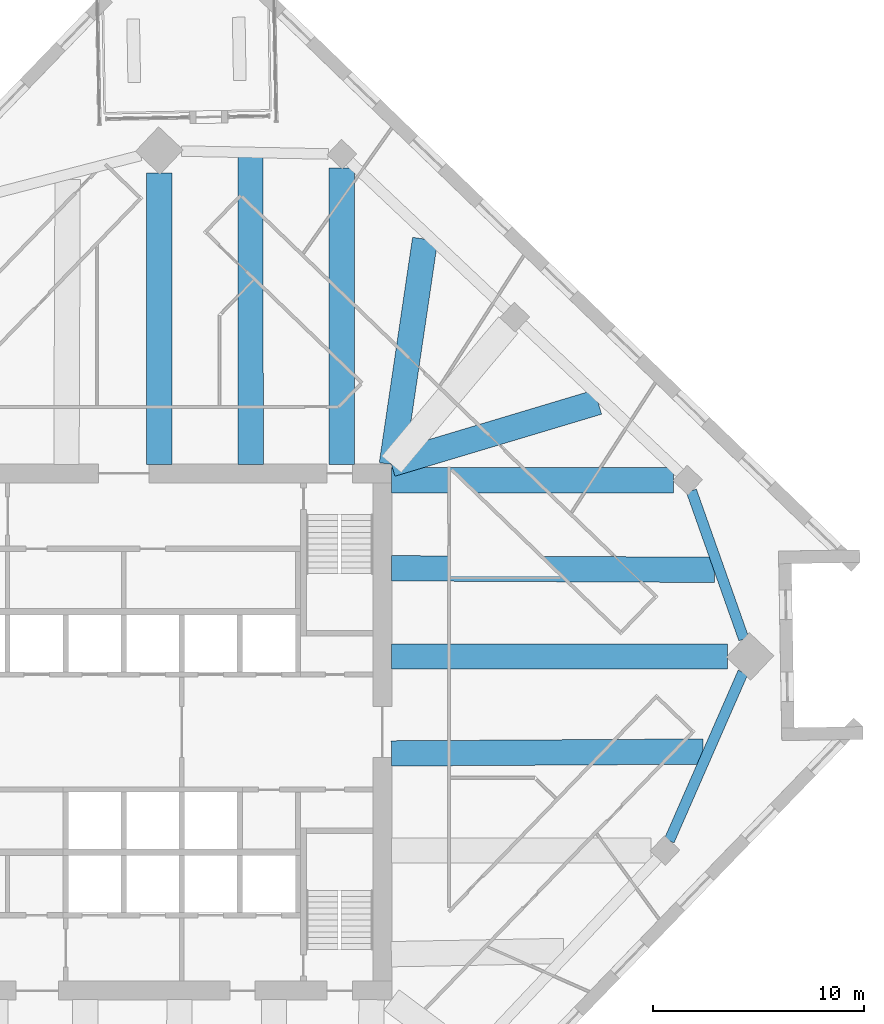
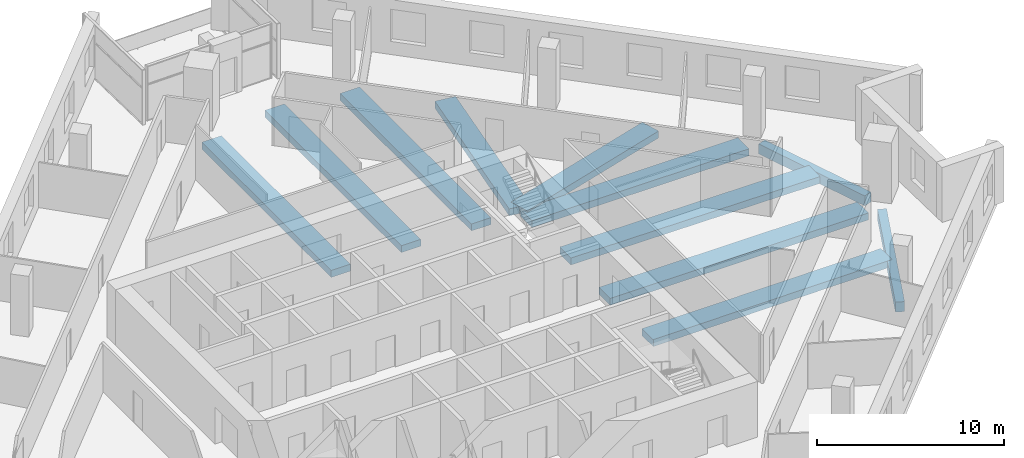
# One storey, part 3 of 13: 11 beams.
"""IFC4 building model written with IfcOpenShell, lengths in metres."""

import ifcopenshell
import ifcopenshell.guid

model = None  # the IFC model being written
_history = None  # IfcOwnerHistory: only IFC2X3 demands one
_inside = {}  # id of a spatial element -> (the spatial element, [elements in it])
_under = {}  # id of a project, library or spatial element -> (it, [spatial elements below it])
_declared = {}  # id of a project -> (the project, [libraries it declares])
_typed = {}  # id of a type object -> (the type object, [elements of that type])
_made_of = {}  # id of a material, layer set ... -> (it, [elements and type objects made of it])


def new_model(schema):
    """Start an empty IFC model of exactly this schema.

    Asked for "IFC4X3", IfcOpenShell would pick the latest addendum, in which some entities
    have other attributes; the version numbers below select the first issue.
    IFC2X3 requires an IfcOwnerHistory on every rooted entity: one is made here for all.
    """
    global model, _history
    if schema == "IFC4X3":
        model = ifcopenshell.file(schema_version=(4, 3, 0, 0))
    else:
        model = ifcopenshell.file(schema=schema)
    _inside.clear()
    _under.clear()
    _declared.clear()
    _typed.clear()
    _made_of.clear()
    _history = None
    if model.schema == "IFC2X3":
        org = make("IfcOrganization", Name="unknown")
        user = make(
            "IfcPersonAndOrganization",
            ThePerson=make("IfcPerson", FamilyName="unknown"),
            TheOrganization=org,
        )
        app = make(
            "IfcApplication",
            ApplicationDeveloper=org,
            Version="unknown",
            ApplicationFullName="unknown",
            ApplicationIdentifier="unknown",
        )
        _history = make(
            "IfcOwnerHistory",
            OwningUser=user,
            OwningApplication=app,
            ChangeAction="ADDED",
            CreationDate=0,
        )
    return model


def make(cls, **values):
    """One entity of the class cls with the attributes given. An attribute that is None is left unset."""
    return model.create_entity(
        cls, **{name: value for name, value in values.items() if value is not None}
    )


def rooted(cls, **values):
    """An entity with a GlobalId (a new one), such as an element, a storey or a relation."""
    return make(cls, GlobalId=ifcopenshell.guid.new(), OwnerHistory=_history, **values)


def si_unit(unit_type, name, prefix=None):
    """IfcSIUnit, for example si_unit("LENGTHUNIT", "METRE", prefix="MILLI")."""
    return make("IfcSIUnit", UnitType=unit_type, Prefix=prefix, Name=name)


def assignment(units):
    """IfcUnitAssignment: the units of a project."""
    return None if units is None else make("IfcUnitAssignment", Units=units)


def point(xyz):
    """IfcCartesianPoint."""
    return None if xyz is None else make("IfcCartesianPoint", Coordinates=xyz)


def direction(xyz):
    """IfcDirection."""
    return None if xyz is None else make("IfcDirection", DirectionRatios=xyz)


def frame(location, z_axis=None, x_axis=None):
    """IfcAxis2Placement3D, a coordinate frame: its origin and axes. An axis left out is left unset."""
    return make(
        "IfcAxis2Placement3D",
        Location=point(location),
        Axis=direction(z_axis),
        RefDirection=direction(x_axis),
    )


def frame_2d(location, x_axis=None):
    """IfcAxis2Placement2D, a coordinate frame in the plane: its origin and x axis."""
    return make(
        "IfcAxis2Placement2D", Location=point(location), RefDirection=direction(x_axis)
    )


def origin():
    """The frame at (0, 0, 0) with its axes left unset."""
    return frame((0.0, 0.0, 0.0))


def origin_2d():
    """The frame at (0, 0) in the plane with its x axis left unset."""
    return frame_2d((0.0, 0.0))


def place(relative_to, where):
    """IfcLocalPlacement: puts the frame where relative to a parent placement (None: the world)."""
    return make(
        "IfcLocalPlacement", PlacementRelTo=relative_to, RelativePlacement=where
    )


def context(
    kind, dimensions, precision=None, world=None, true_north=None, identifier=None
):
    """IfcGeometricRepresentationContext, for example the 3D "Model" context."""
    return make(
        "IfcGeometricRepresentationContext",
        ContextIdentifier=identifier,
        ContextType=kind,
        CoordinateSpaceDimension=dimensions,
        Precision=precision,
        WorldCoordinateSystem=world,
        TrueNorth=true_north,
    )


def subcontext(parent, identifier, kind, view, scale=None):
    """IfcGeometricRepresentationSubContext, for example "Body" below "Model"."""
    return make(
        "IfcGeometricRepresentationSubContext",
        ContextIdentifier=identifier,
        ContextType=kind,
        ParentContext=parent,
        TargetScale=scale,
        TargetView=view,
    )


def project(units=None, contexts=None):
    """IfcProject with its units and contexts."""
    return rooted(
        "IfcProject",
        Name="project",
        RepresentationContexts=contexts,
        UnitsInContext=assignment(units),
    )


def spatial(cls, under=None, at=None, **own):
    """A site, building, storey or space (cls), placed at a placement, below another one or the project."""
    s = rooted(cls, ObjectPlacement=at, **own)
    if under is not None:
        _under.setdefault(under.id(), (under, []))[1].append(s)
    return s


def profile(cls, at=None, kind="AREA", **sizes):
    """A parametric profile (cls). Its sizes go by their IFC names, for example OverallWidth=200.0."""
    return make(cls, ProfileType=kind, Position=at, **sizes)


def rectangle(**sizes):
    """IfcRectangleProfileDef."""
    return profile("IfcRectangleProfileDef", **sizes)


def extrude(swept, where, along, depth):
    """IfcExtrudedAreaSolid: the profile swept, set in the frame where, extruded along a direction by depth."""
    return make(
        "IfcExtrudedAreaSolid",
        SweptArea=swept,
        Position=where,
        ExtrudedDirection=direction(along),
        Depth=depth,
    )


def shape(context_of_items, identifier, shape_type, items):
    """IfcShapeRepresentation: the items that make up one representation, for example the "Body"."""
    return make(
        "IfcShapeRepresentation",
        ContextOfItems=context_of_items,
        RepresentationIdentifier=identifier,
        RepresentationType=shape_type,
        Items=items,
    )


def material(Name=None, Category=None):
    """IfcMaterial."""
    return make("IfcMaterial", Name=Name, Category=Category)


def material_profile(
    of_material, cross_section, Name=None, Category=None, Priority=None
):
    """IfcMaterialProfile: a cross section and its material."""
    return make(
        "IfcMaterialProfile",
        Name=Name,
        Material=of_material,
        Profile=cross_section,
        Priority=Priority,
        Category=Category,
    )


def profile_set(profiles, Name=None, composite=None):
    """IfcMaterialProfileSet."""
    return make(
        "IfcMaterialProfileSet",
        Name=Name,
        MaterialProfiles=profiles,
        CompositeProfile=composite,
    )


def made_of(thing, what):
    """Note that an element or type object is made of a material, layer set ...; save() writes the relation."""
    if what is not None:
        _made_of.setdefault(what.id(), (what, []))[1].append(thing)
    return thing


def type_object(cls, material=None, **own):
    """A type object (cls), such as IfcWallType, which elements share."""
    return made_of(rooted(cls, **own), material)


def element(
    cls,
    number,
    at=None,
    inside=None,
    cuts=None,
    type_object=None,
    material=None,
    context=None,
    identifier="Body",
    shape_type=None,
    held_by="IfcProductDefinitionShape",
    body=None,
    shapes=None,
    **own,
):
    """One element of the class cls, such as IfcWall. Its Tag is "e" and its number.

    at: its placement. inside: the storey or other place that contains it. cuts: it is an
    opening in that element (IfcRelVoidsElement). A single representation is given by context,
    identifier, shape_type and body (its items); several are given by shapes. held_by: the class
    of the entity that holds the representations. save() writes the other relations.
    """
    e = rooted(cls, Tag="e%d" % number, ObjectPlacement=at, **own)
    if body is not None:
        shapes = [shape(context, identifier, shape_type, body)]
    if shapes is not None:
        e.Representation = make(held_by, Representations=shapes)
    if inside is not None:
        _inside.setdefault(inside.id(), (inside, []))[1].append(e)
    if cuts is not None:
        rooted(
            "IfcRelVoidsElement", RelatingBuildingElement=cuts, RelatedOpeningElement=e
        )
    if type_object is not None:
        _typed.setdefault(type_object.id(), (type_object, []))[1].append(e)
    return made_of(e, material)


def aggregate(whole, parts):
    """IfcRelAggregates: a whole, such as a stair, and the parts it consists of."""
    return rooted("IfcRelAggregates", RelatingObject=whole, RelatedObjects=parts)


def save(model, path):
    """Write the relations noted so far, then the file.

    IfcRelAggregates (storeys below a building ...), IfcRelContainedInSpatialStructure (elements
    in a storey), IfcRelDefinesByType, IfcRelAssociatesMaterial and IfcRelDeclares: one each for
    every whole, place, type object, material and project.
    """
    for whole, parts in _under.values():
        aggregate(whole, parts)
    for where, things in _inside.values():
        rooted(
            "IfcRelContainedInSpatialStructure",
            RelatedElements=things,
            RelatingStructure=where,
        )
    for kind, things in _typed.values():
        rooted("IfcRelDefinesByType", RelatedObjects=things, RelatingType=kind)
    for what, things in _made_of.values():
        rooted("IfcRelAssociatesMaterial", RelatedObjects=things, RelatingMaterial=what)
    for by, libraries in _declared.values():
        rooted("IfcRelDeclares", RelatingContext=by, RelatedDefinitions=libraries)
    model.write(path)


model = new_model("IFC4")

# Units and contexts
model_context = context("Model", 3, precision=1e-05, world=origin(), true_north=direction((0.0, 1.0)))
body_context = subcontext(model_context, "Body", "Model", "MODEL_VIEW")
ifc_project = project(units=[si_unit("LENGTHUNIT", "METRE"), si_unit("AREAUNIT", "SQUARE_METRE"), si_unit("VOLUMEUNIT", "CUBIC_METRE"), si_unit("PLANEANGLEUNIT", "RADIAN"), si_unit("MASSUNIT", "GRAM", prefix="KILO")], contexts=[model_context])

# Site, building, storey
site_placement = place(None, origin())
site = spatial("IfcSite", under=ifc_project, at=site_placement, CompositionType="ELEMENT")
building_placement = place(site_placement, origin())
building = spatial("IfcBuilding", under=site, at=building_placement, Name="Dilmun Exchange Tower", CompositionType="ELEMENT")
storey_placement = place(building_placement, frame((0.0, 0.0, 209.300048828125)))
storey = spatial("IfcBuildingStorey", under=building, at=storey_placement, Name="L49", CompositionType="ELEMENT", Elevation=209.300048828125)

# Beams
ifc_material = material(Name="Concrete C40/50", Category="concrete")
ifc_material_profile_1 = material_profile(ifc_material, rectangle(XDim=1.199951171875, YDim=0.449951171875, at=origin_2d()), Name="1200 x 450")
ifc_profile_set_1 = profile_set([ifc_material_profile_1], Name="Concrete C40/50")
beam_type_1 = type_object("IfcBeamType", Name="RC band beam 1200 x 450 C40/50", PredefinedType="BEAM", material=ifc_profile_set_1)
beam_1_placement = place(storey_placement, frame((1.68505859375, 26.465576171875, -0.705078125), z_axis=(0.0, -1.0, 0.0), x_axis=(1.0, 0.0, 0.0)))
element("IfcBeam", 1, at=beam_1_placement, inside=storey, type_object=beam_type_1, Name="Band beam 1", PredefinedType="BEAM", context=body_context, shape_type="SweptSolid", body=[
    extrude(rectangle(XDim=1.199951171875, YDim=0.449951171875, at=origin_2d()), origin(), (0.0, 0.0, 1.0), 13.79248046875),
])
beam_2_placement = place(storey_placement, frame((28.586669921875, 3.58203125, -0.705078125), z_axis=(-1.0, 0.0, 0.0), x_axis=(0.0, -1.0, 0.0)))
element("IfcBeam", 2, at=beam_2_placement, inside=storey, type_object=beam_type_1, Name="Band beam 13", PredefinedType="BEAM", context=body_context, shape_type="SweptSolid", body=[
    extrude(rectangle(XDim=1.199951171875, YDim=0.449951171875, at=origin_2d()), origin(), (0.0, 0.0, 1.0), 15.91357421875),
])
beam_3_placement = place(storey_placement, frame((26.0458984375, 11.930908203125, -0.705078125), z_axis=(-1.0, 0.0, 0.0), x_axis=(0.0, -1.0, 0.0)))
element("IfcBeam", 3, at=beam_3_placement, inside=storey, type_object=beam_type_1, Name="Band beam 14", PredefinedType="BEAM", context=body_context, shape_type="SweptSolid", body=[
    extrude(rectangle(XDim=1.199951171875, YDim=0.449951171875, at=origin_2d()), origin(), (0.0, 0.0, 1.0), 13.372802734375),
])
beam_4_placement = place(storey_placement, frame((10.3330078125, 26.703857421875, -0.705078125), z_axis=(0.0, -1.0, 0.0), x_axis=(1.0, 0.0, 0.0)))
element("IfcBeam", 4, at=beam_4_placement, inside=storey, type_object=beam_type_1, Name="Band beam 16", PredefinedType="BEAM", context=body_context, shape_type="SweptSolid", body=[
    extrude(rectangle(XDim=1.199951171875, YDim=0.449951171875, at=origin_2d()), origin(), (0.0, 0.0, 1.0), 14.03076171875),
])
beam_5_placement = place(storey_placement, frame((27.441650390625, -0.924072265625, -0.60498046875), z_axis=(-0.999981696912, -0.006050276087, 0.0), x_axis=(0.006050276087, -0.999981696912, 0.0)))
element("IfcBeam", 5, at=beam_5_placement, inside=storey, type_object=beam_type_1, Name="Band beam 28", PredefinedType="BEAM", context=body_context, shape_type="SweptSolid", body=[
    extrude(rectangle(XDim=1.199951171875, YDim=0.449951171875, at=origin_2d()), origin(), (0.0, 0.0, 1.0), 14.768798828125),
])
beam_6_placement = place(storey_placement, frame((27.972412109375, 7.68212890625, -0.60498046875), z_axis=(-0.99998815601, 0.004867015408, 0.0), x_axis=(-0.004867015408, -0.99998815601, 0.0)))
element("IfcBeam", 6, at=beam_6_placement, inside=storey, type_object=beam_type_1, Name="Band beam 29", PredefinedType="BEAM", context=body_context, shape_type="SweptSolid", body=[
    extrude(rectangle(XDim=1.199951171875, YDim=0.449951171875, at=origin_2d()), origin(), (0.0, 0.0, 1.0), 15.299560546875),
])
beam_7_placement = place(storey_placement, frame((22.4599609375, 15.626708984375, -0.60498046875), z_axis=(-0.957849959988, -0.287268957862, 0.0), x_axis=(0.287268957862, -0.957849959988, 0.0)))
element("IfcBeam", 7, at=beam_7_placement, inside=storey, type_object=beam_type_1, Name="Band beam 30", PredefinedType="BEAM", context=body_context, shape_type="SweptSolid", body=[
    extrude(rectangle(XDim=1.199951171875, YDim=0.449951171875, at=origin_2d()), origin(), (0.0, 0.0, 1.0), 10.21630859375),
])
beam_8_placement = place(storey_placement, frame((14.2734375, 23.34326171875, -0.60498046875), z_axis=(-0.146268101323, -0.989244986106, 0.0), x_axis=(0.989244986106, -0.146268101323, 0.0)))
element("IfcBeam", 8, at=beam_8_placement, inside=storey, type_object=beam_type_1, Name="Band beam 31", PredefinedType="BEAM", context=body_context, shape_type="SweptSolid", body=[
    extrude(rectangle(XDim=1.199951171875, YDim=0.449951171875, at=origin_2d()), origin(), (0.0, 0.0, 1.0), 10.785888671875),
])
beam_9_placement = place(storey_placement, frame((6.00439453125, 27.22802734375, -0.60498046875), z_axis=(0.000318701025, -0.999999949215, 0.0), x_axis=(0.999999949215, 0.000318701025, 0.0)))
element("IfcBeam", 9, at=beam_9_placement, inside=storey, type_object=beam_type_1, Name="Band beam 32", PredefinedType="BEAM", context=body_context, shape_type="SweptSolid", body=[
    extrude(rectangle(XDim=1.199951171875, YDim=0.449951171875, at=origin_2d()), origin(), (0.0, 0.0, 1.0), 14.554931640625),
])
ifc_material_profile_2 = material_profile(ifc_material, rectangle(XDim=0.5, YDim=0.64990234375, at=origin_2d()), Name="500 x 650")
ifc_profile_set_2 = profile_set([ifc_material_profile_2], Name="Concrete C40/50")
beam_type_2 = type_object("IfcBeamType", Name="RC ring beam 500 x 650 C40/50", PredefinedType="SPANDREL", material=ifc_profile_set_2)
beam_10_placement = place(storey_placement, frame((25.835205078125, -5.1474609375, -0.705078125), z_axis=(0.401239440722, 0.915973204416, 0.0), x_axis=(-0.915973204416, 0.401239440722, 0.0)))
element("IfcBeam", 10, at=beam_10_placement, inside=storey, type_object=beam_type_2, Name="Ring beam 12", PredefinedType="SPANDREL", context=body_context, shape_type="SweptSolid", body=[
    extrude(rectangle(XDim=0.5, YDim=0.64990234375, at=origin_2d()), origin(), (0.0, 0.0, 1.0), 8.707763671875),
])
beam_11_placement = place(storey_placement, frame((29.367919921875, 4.404541015625, -0.705078125), z_axis=(-0.333423578623, 0.942777130195, 0.0), x_axis=(-0.942777130195, -0.333423578623, 0.0)))
element("IfcBeam", 11, at=beam_11_placement, inside=storey, type_object=beam_type_2, Name="Ring beam 13", PredefinedType="SPANDREL", context=body_context, shape_type="SweptSolid", body=[
    extrude(rectangle(XDim=0.5, YDim=0.64990234375, at=origin_2d()), origin(), (0.0, 0.0, 1.0), 7.4482421875),
])

save(model, "model.ifc")
